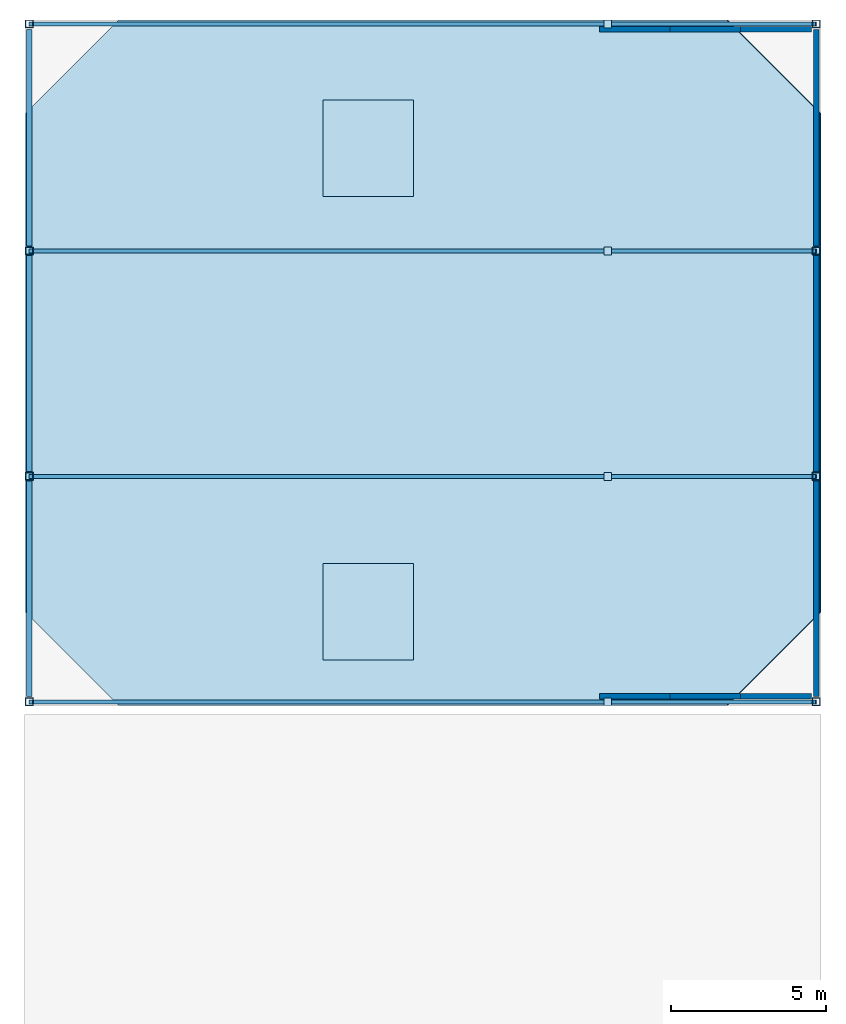
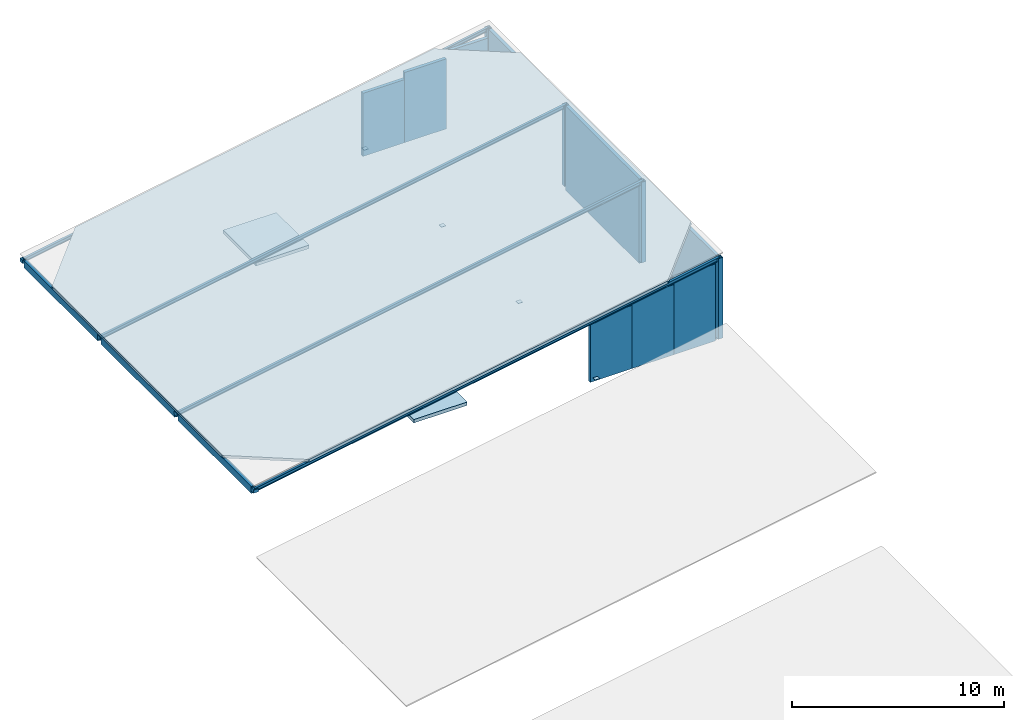
# One storey, part 1 of 2: 12 walls, 8 columns, 4 members, 4 plates, 3 slabs.
"""IFC4 building model written with IfcOpenShell, lengths in metres."""

from ifc_helpers import new_model, si_unit, direction, frame, frame_2d, origin, origin_2d, place, context, subcontext, project, spatial, polyline, rectangle, hollow_rectangle, i_section, outline, extrude, material, layer, layer_set, material_profile, profile_set, type_object, element, save


model = new_model("IFC4")

# Units and contexts
model_context = context("Model", 3, precision=1e-05, world=origin(), true_north=direction((0.0, 1.0)))
body_context = subcontext(model_context, "Body", "Model", "MODEL_VIEW")
ifc_project = project(units=[si_unit("LENGTHUNIT", "METRE"), si_unit("AREAUNIT", "SQUARE_METRE"), si_unit("VOLUMEUNIT", "CUBIC_METRE"), si_unit("PLANEANGLEUNIT", "RADIAN"), si_unit("MASSUNIT", "GRAM", prefix="KILO")], contexts=[model_context])

# Site, building, storey
site_placement = place(None, origin())
site = spatial("IfcSite", under=ifc_project, at=site_placement, CompositionType="ELEMENT")
building_placement = place(site_placement, origin())
building = spatial("IfcBuilding", under=site, at=building_placement, Name="Candilejo Ridge Gondola Terminal", CompositionType="ELEMENT")
storey_placement = place(building_placement, frame((0.0, 0.0, 27.0)))
storey = spatial("IfcBuildingStorey", under=building, at=storey_placement, Name="RF", CompositionType="ELEMENT", Elevation=27.0)

# Columns
ifc_material_1 = material(Name="Steel ASTM A500 Grade C", Category="steel")
ifc_material_profile_1 = material_profile(ifc_material_1, hollow_rectangle(XDim=0.25, YDim=0.25, WallThickness=0.010009765625, at=origin_2d()))
ifc_profile_set_1 = profile_set([ifc_material_profile_1], Name="Steel ASTM A500 Grade C")
column_type = type_object("IfcColumnType", Name="STR-COL-HSS250", PredefinedType="COLUMN", material=ifc_profile_set_1)
column_1_placement = place(storey_placement, frame((150.0, 99.050048828125, 0.0), z_axis=(0.0, 0.0, 1.0), x_axis=(1.0, 0.0, 0.0)))
element("IfcColumn", 1, at=column_1_placement, inside=storey, type_object=column_type, Name="Roof ridge post RF-V5-CREST-01-W", PredefinedType="COLUMN", context=body_context, shape_type="SweptSolid", body=[
    extrude(hollow_rectangle(XDim=0.25, YDim=0.25, WallThickness=0.010009765625, at=origin_2d()), origin(), (0.0, 0.0, 1.0), 0.18603515625),
])
column_2_placement = place(storey_placement, frame((175.300048828125, 99.050048828125, 0.0), z_axis=(0.0, 0.0, 1.0), x_axis=(1.0, 0.0, 0.0)))
element("IfcColumn", 2, at=column_2_placement, inside=storey, type_object=column_type, Name="Roof ridge post RF-V5-CREST-01-E", PredefinedType="COLUMN", context=body_context, shape_type="SweptSolid", body=[
    extrude(hollow_rectangle(XDim=0.25, YDim=0.25, WallThickness=0.010009765625, at=origin_2d()), origin(), (0.0, 0.0, 1.0), 4.647216796875),
])
column_3_placement = place(storey_placement, frame((150.0, 106.300048828125, 0.0), z_axis=(0.0, 0.0, 1.0), x_axis=(1.0, 0.0, 0.0)))
element("IfcColumn", 3, at=column_3_placement, inside=storey, type_object=column_type, Name="Roof ridge post RF-V5-CREST-02-W", PredefinedType="COLUMN", context=body_context, shape_type="SweptSolid", body=[
    extrude(hollow_rectangle(XDim=0.25, YDim=0.25, WallThickness=0.010009765625, at=origin_2d()), origin(), (0.0, 0.0, 1.0), 0.18603515625),
])
column_4_placement = place(storey_placement, frame((175.300048828125, 106.300048828125, 0.0), z_axis=(0.0, 0.0, 1.0), x_axis=(1.0, 0.0, 0.0)))
element("IfcColumn", 4, at=column_4_placement, inside=storey, type_object=column_type, Name="Roof ridge post RF-V5-CREST-02-E", PredefinedType="COLUMN", context=body_context, shape_type="SweptSolid", body=[
    extrude(hollow_rectangle(XDim=0.25, YDim=0.25, WallThickness=0.010009765625, at=origin_2d()), origin(), (0.0, 0.0, 1.0), 4.647216796875),
])
column_5_placement = place(storey_placement, frame((150.0, 113.550048828125, 0.0), z_axis=(0.0, 0.0, 1.0), x_axis=(1.0, 0.0, 0.0)))
element("IfcColumn", 5, at=column_5_placement, inside=storey, type_object=column_type, Name="Roof ridge post RF-V5-CREST-03-W", PredefinedType="COLUMN", context=body_context, shape_type="SweptSolid", body=[
    extrude(hollow_rectangle(XDim=0.25, YDim=0.25, WallThickness=0.010009765625, at=origin_2d()), origin(), (0.0, 0.0, 1.0), 0.18603515625),
])
column_6_placement = place(storey_placement, frame((175.300048828125, 113.550048828125, 0.0), z_axis=(0.0, 0.0, 1.0), x_axis=(1.0, 0.0, 0.0)))
element("IfcColumn", 6, at=column_6_placement, inside=storey, type_object=column_type, Name="Roof ridge post RF-V5-CREST-03-E", PredefinedType="COLUMN", context=body_context, shape_type="SweptSolid", body=[
    extrude(hollow_rectangle(XDim=0.25, YDim=0.25, WallThickness=0.010009765625, at=origin_2d()), origin(), (0.0, 0.0, 1.0), 4.647216796875),
])
column_7_placement = place(storey_placement, frame((150.0, 120.85009765625, 0.0), z_axis=(0.0, 0.0, 1.0), x_axis=(1.0, 0.0, 0.0)))
element("IfcColumn", 7, at=column_7_placement, inside=storey, type_object=column_type, Name="Roof ridge post RF-V5-CREST-04-W", PredefinedType="COLUMN", context=body_context, shape_type="SweptSolid", body=[
    extrude(hollow_rectangle(XDim=0.25, YDim=0.25, WallThickness=0.010009765625, at=origin_2d()), origin(), (0.0, 0.0, 1.0), 0.18603515625),
])
column_8_placement = place(storey_placement, frame((175.300048828125, 120.85009765625, 0.0), z_axis=(0.0, 0.0, 1.0), x_axis=(1.0, 0.0, 0.0)))
element("IfcColumn", 8, at=column_8_placement, inside=storey, type_object=column_type, Name="Roof ridge post RF-V5-CREST-04-E", PredefinedType="COLUMN", context=body_context, shape_type="SweptSolid", body=[
    extrude(hollow_rectangle(XDim=0.25, YDim=0.25, WallThickness=0.010009765625, at=origin_2d()), origin(), (0.0, 0.0, 1.0), 4.647216796875),
])

# Members
ifc_material_2 = material(Name="Steel ASTM A992 Grade 50", Category="steel")
ifc_material_profile_2 = material_profile(ifc_material_2, i_section(OverallWidth=0.133056640625, OverallDepth=0.20703125, WebThickness=0.005859375, FlangeThickness=0.00830078125, at=origin_2d()))
ifc_profile_set_2 = profile_set([ifc_material_profile_2], Name="Steel ASTM A992 Grade 50")
member_type = type_object("IfcMemberType", Name="STR-RAF-W200", PredefinedType="RAFTER", material=ifc_profile_set_2)
for number, where, z_axis, x_axis, name in (
    (9, (150.0, 99.050048828125, 0.10595703125), (0.984807084557, 0.0, 0.17365196862), (0.0, 1.0, 0.0), "Shed roof rafter RF-V5-CREST-01"),
    (10, (150.0, 106.300048828125, 0.10595703125), (0.984807084557, 0.0, 0.17365196862), (0.0, 1.0, 0.0), "Shed roof rafter RF-V5-CREST-02"),
    (11, (150.0, 113.550048828125, 0.10595703125), (0.984807084557, 0.0, 0.17365196862), (0.0, 1.0, 0.0), "Shed roof rafter RF-V5-CREST-03"),
    (12, (150.0, 120.85009765625, 0.10595703125), (0.984807084557, 0.0, 0.17365196862), (0.0, 1.0, 0.0), "Shed roof rafter RF-V5-CREST-04"),
):
    element("IfcMember", number, at=place(storey_placement, frame(where, z_axis=z_axis, x_axis=x_axis)), inside=storey, type_object=member_type, Name=name, PredefinedType="RAFTER", context=body_context, shape_type="SweptSolid", body=[
        extrude(i_section(OverallWidth=0.133056640625, OverallDepth=0.20703125, WebThickness=0.005859375, FlangeThickness=0.00830078125, at=origin_2d()), origin(), (0.0, 0.0, 1.0), 25.6904296875),
    ])

# Plates
ifc_material_3 = material(Name="Steel ASTM A572 Grade 50", Category="steel")
ifc_layer_1 = layer(ifc_material_3, 0.02001953125)
ifc_layer_set_1 = layer_set([ifc_layer_1], Name="STR-COL-CAP-250X250X20")
plate_type = type_object("IfcPlateType", Name="STR-COL-CAP-250X250X20", PredefinedType="USERDEFINED", material=ifc_layer_set_1)
for number, where, z_axis, x_axis, name in (
    (13, (168.60009765625, 99.050048828125, 0.0), (0.0, 0.0, 1.0), (1.0, 0.0, 0.0), "Hollow column top end-cap plate 260"),
    (14, (168.60009765625, 106.300048828125, 0.0), (0.0, 0.0, 1.0), (1.0, 0.0, 0.0), "Hollow column top end-cap plate 261"),
    (15, (168.60009765625, 113.550048828125, 0.0), (0.0, 0.0, 1.0), (1.0, 0.0, 0.0), "Hollow column top end-cap plate 262"),
    (16, (168.60009765625, 120.85009765625, 0.0), (0.0, 0.0, 1.0), (1.0, 0.0, 0.0), "Hollow column top end-cap plate 263"),
):
    element("IfcPlate", number, at=place(storey_placement, frame(where, z_axis=z_axis, x_axis=x_axis)), inside=storey, type_object=plate_type, Name=name, ObjectType="NODE PLATE", PredefinedType="USERDEFINED", context=body_context, shape_type="SweptSolid", body=[
        extrude(rectangle(XDim=0.25, YDim=0.25, at=origin_2d()), origin(), (0.0, 0.0, 1.0), 0.02001953125),
    ])

# Slabs
ifc_material_4 = material(Name="Concrete f'c 35 MPa (C35/45)", Category="concrete")
ifc_layer_2 = layer(ifc_material_4, 0.1650390625)
ifc_layer_set_2 = layer_set([ifc_layer_2], Name="STR-ROOF-SLAB-165")
slab_type_1 = type_object("IfcSlabType", Name="STR-ROOF-SLAB-165", PredefinedType="ROOF", material=ifc_layer_set_2)
slab_1_placement = place(storey_placement, frame((152.877197265625, 98.925048828125, 0.8994140625), z_axis=(-0.173646481486, 0.0, 0.984808052093), x_axis=(0.984808052093, 0.0, 0.173646481486)))
element("IfcSlab", 17, at=slab_1_placement, inside=storey, type_object=slab_type_1, Name="Sloped standing-seam roof deck RF-V5-CREST", PredefinedType="ROOF", context=body_context, shape_type="SweptSolid", body=[
    extrude(outline(polyline([(0.0, 0.0), (19.84691327322532, 0.0), (22.895694680204045, 3.0021972656249996), (22.895694680204045, 19.047607421874996), (19.84691327322532, 22.050048828124996), (0.0, 22.050048828124996), (-3.048498581164865, 19.047607421874996), (-3.048498581164865, 3.0021972656249996), (0.0, 0.0)])), origin(), (0.0, 0.0, -1.0), 0.1650390625),
])
ifc_material_5 = material(Name="Concrete f'c 35 MPa (C35/45)", Category="concrete")
ifc_layer_3 = layer(ifc_material_5, 0.195068359375)
ifc_layer_set_3 = layer_set([ifc_layer_3], Name="STR-ROOF-SLAB-195")
slab_type_2 = type_object("IfcSlabType", Name="STR-ROOF-SLAB-195", PredefinedType="ROOF", material=ifc_layer_set_3)
slab_2_placement = place(storey_placement, frame((0.0, 0.0, -0.195068359375)))
element("IfcSlab", 18, at=slab_2_placement, inside=storey, type_object=slab_type_2, Name="Lift shaft roof slab C-V5A", PredefinedType="ROOF", context=body_context, shape_type="SweptSolid", body=[
    extrude(outline(polyline([(159.449951171875, 100.39990234375), (162.35009765625, 100.39990234375), (162.35009765625, 103.5), (159.449951171875, 103.5), (159.449951171875, 100.39990234375)])), origin(), (0.0, 0.0, 1.0), 0.195068359375),
])
slab_3_placement = place(storey_placement, frame((0.0, 0.0, -0.195068359375)))
element("IfcSlab", 19, at=slab_3_placement, inside=storey, type_object=slab_type_2, Name="Lift shaft roof slab C-V5B", PredefinedType="ROOF", context=body_context, shape_type="SweptSolid", body=[
    extrude(outline(polyline([(159.449951171875, 115.300048828125), (162.35009765625, 115.300048828125), (162.35009765625, 118.39990234375), (159.449951171875, 118.39990234375), (159.449951171875, 115.300048828125)])), origin(), (0.0, 0.0, 1.0), 0.195068359375),
])

# Walls
ifc_material_6 = material(Name="Concrete f'c 35 MPa (C35/45)", Category="concrete")
ifc_layer_4 = layer(ifc_material_6, 0.179931640625)
ifc_layer_set_4 = layer_set([ifc_layer_4], Name="ARC-PARAPET-WALL-180")
wall_type = type_object("IfcWallType", Name="ARC-PARAPET-WALL-180", PredefinedType="PARAPET", material=ifc_layer_set_4)
wall_1_placement = place(storey_placement, frame((150.0, 99.22509765625, -0.199951171875), z_axis=(0.0, 0.0, 1.0), x_axis=(0.0, 1.0, 0.0)))
element("IfcWall", 20, at=wall_1_placement, inside=storey, type_object=wall_type, Name="Roof perimeter gable/spandrel wall RF-154", PredefinedType="PARAPET", context=body_context, shape_type="SweptSolid", body=[
    extrude(rectangle(XDim=6.919921875, YDim=0.179931640625, at=frame_2d((3.4599609375, 0.0))), origin(), (0.0, 0.0, 1.0), 0.404541015625),
])
wall_2_placement = place(storey_placement, frame((150.0, 106.455078125, -0.199951171875), z_axis=(0.0, 0.0, 1.0), x_axis=(0.0, 1.0, 0.0)))
element("IfcWall", 21, at=wall_2_placement, inside=storey, type_object=wall_type, Name="Roof perimeter gable/spandrel wall RF-155", PredefinedType="PARAPET", context=body_context, shape_type="SweptSolid", body=[
    extrude(rectangle(XDim=6.93994140625, YDim=0.179931640625, at=frame_2d((3.469970703125, 0.0))), origin(), (0.0, 0.0, 1.0), 0.404541015625),
])
wall_3_placement = place(storey_placement, frame((150.0, 113.705078125, -0.199951171875), z_axis=(0.0, 0.0, 1.0), x_axis=(0.0, 1.0, 0.0)))
element("IfcWall", 22, at=wall_3_placement, inside=storey, type_object=wall_type, Name="Roof perimeter gable/spandrel wall RF-156", PredefinedType="PARAPET", context=body_context, shape_type="SweptSolid", body=[
    extrude(rectangle(XDim=6.969970703125, YDim=0.179931640625, at=frame_2d((3.48486328125, 0.0))), origin(), (0.0, 0.0, 1.0), 0.404541015625),
])
wall_4_placement = place(storey_placement, frame((175.300048828125, 99.22509765625, -0.199951171875), z_axis=(0.0, 0.0, 1.0), x_axis=(0.0, 1.0, 0.0)))
element("IfcWall", 23, at=wall_4_placement, inside=storey, type_object=wall_type, Name="Roof perimeter gable/spandrel wall RF-157", PredefinedType="PARAPET", context=body_context, shape_type="SweptSolid", body=[
    extrude(rectangle(XDim=6.919921875, YDim=0.179931640625, at=frame_2d((3.4599609375, 0.0))), origin(), (0.0, 0.0, 1.0), 4.865478515625),
])
wall_5_placement = place(storey_placement, frame((175.300048828125, 106.455078125, -0.199951171875), z_axis=(0.0, 0.0, 1.0), x_axis=(0.0, 1.0, 0.0)))
element("IfcWall", 24, at=wall_5_placement, inside=storey, type_object=wall_type, Name="Roof perimeter gable/spandrel wall RF-158", PredefinedType="PARAPET", context=body_context, shape_type="SweptSolid", body=[
    extrude(rectangle(XDim=6.93994140625, YDim=0.179931640625, at=frame_2d((3.469970703125, 0.0))), origin(), (0.0, 0.0, 1.0), 4.865478515625),
])
wall_6_placement = place(storey_placement, frame((175.300048828125, 113.705078125, -0.199951171875), z_axis=(0.0, 0.0, 1.0), x_axis=(0.0, 1.0, 0.0)))
element("IfcWall", 25, at=wall_6_placement, inside=storey, type_object=wall_type, Name="Roof perimeter gable/spandrel wall RF-159", PredefinedType="PARAPET", context=body_context, shape_type="SweptSolid", body=[
    extrude(rectangle(XDim=6.969970703125, YDim=0.179931640625, at=frame_2d((3.48486328125, 0.0))), origin(), (0.0, 0.0, 1.0), 4.865478515625),
])
wall_7_placement = place(storey_placement, frame((168.32958984375, 99.22509765625, -0.199951171875), z_axis=(0.0, 0.0, 1.0), x_axis=(1.0, 0.0, 0.0)))
element("IfcWall", 26, at=wall_7_placement, inside=storey, type_object=wall_type, Name="Roof perimeter gable/spandrel wall RF-160", PredefinedType="PARAPET", context=body_context, shape_type="SweptSolid", body=[
    extrude(rectangle(XDim=2.271728515625, YDim=0.179931640625, at=frame_2d((1.1357421875, 0.0))), origin(), (0.0, 0.0, 1.0), 3.636474609375),
])
wall_8_placement = place(storey_placement, frame((170.601318359375, 99.22509765625, -0.199951171875), z_axis=(0.0, 0.0, 1.0), x_axis=(1.0, 0.0, 0.0)))
element("IfcWall", 27, at=wall_8_placement, inside=storey, type_object=wall_type, Name="Roof perimeter gable/spandrel wall RF-161", PredefinedType="PARAPET", context=body_context, shape_type="SweptSolid", body=[
    extrude(rectangle(XDim=2.27197265625, YDim=0.179931640625, at=frame_2d((1.135986328125, 0.0))), origin(), (0.0, 0.0, 1.0), 4.037109375),
])
wall_9_placement = place(storey_placement, frame((172.873291015625, 99.22509765625, -0.199951171875), z_axis=(0.0, 0.0, 1.0), x_axis=(1.0, 0.0, 0.0)))
element("IfcWall", 28, at=wall_9_placement, inside=storey, type_object=wall_type, Name="Roof perimeter gable/spandrel wall RF-162", PredefinedType="PARAPET", context=body_context, shape_type="SweptSolid", body=[
    extrude(rectangle(XDim=2.271728515625, YDim=0.179931640625, at=frame_2d((1.1357421875, 0.0))), origin(), (0.0, 0.0, 1.0), 4.437744140625),
])
wall_10_placement = place(storey_placement, frame((168.32958984375, 120.675048828125, -0.199951171875), z_axis=(0.0, 0.0, 1.0), x_axis=(1.0, 0.0, 0.0)))
element("IfcWall", 29, at=wall_10_placement, inside=storey, type_object=wall_type, Name="Roof perimeter gable/spandrel wall RF-163", PredefinedType="PARAPET", context=body_context, shape_type="SweptSolid", body=[
    extrude(rectangle(XDim=2.271728515625, YDim=0.179931640625, at=frame_2d((1.1357421875, 0.0))), origin(), (0.0, 0.0, 1.0), 3.636474609375),
])
wall_11_placement = place(storey_placement, frame((170.601318359375, 120.675048828125, -0.199951171875), z_axis=(0.0, 0.0, 1.0), x_axis=(1.0, 0.0, 0.0)))
element("IfcWall", 30, at=wall_11_placement, inside=storey, type_object=wall_type, Name="Roof perimeter gable/spandrel wall RF-164", PredefinedType="PARAPET", context=body_context, shape_type="SweptSolid", body=[
    extrude(rectangle(XDim=2.27197265625, YDim=0.179931640625, at=frame_2d((1.135986328125, 0.0))), origin(), (0.0, 0.0, 1.0), 4.037109375),
])
wall_12_placement = place(storey_placement, frame((172.873291015625, 120.675048828125, -0.199951171875), z_axis=(0.0, 0.0, 1.0), x_axis=(1.0, 0.0, 0.0)))
element("IfcWall", 31, at=wall_12_placement, inside=storey, type_object=wall_type, Name="Roof perimeter gable/spandrel wall RF-165", PredefinedType="PARAPET", context=body_context, shape_type="SweptSolid", body=[
    extrude(rectangle(XDim=2.271728515625, YDim=0.179931640625, at=frame_2d((1.1357421875, 0.0))), origin(), (0.0, 0.0, 1.0), 4.437744140625),
])

save(model, "model.ifc")
